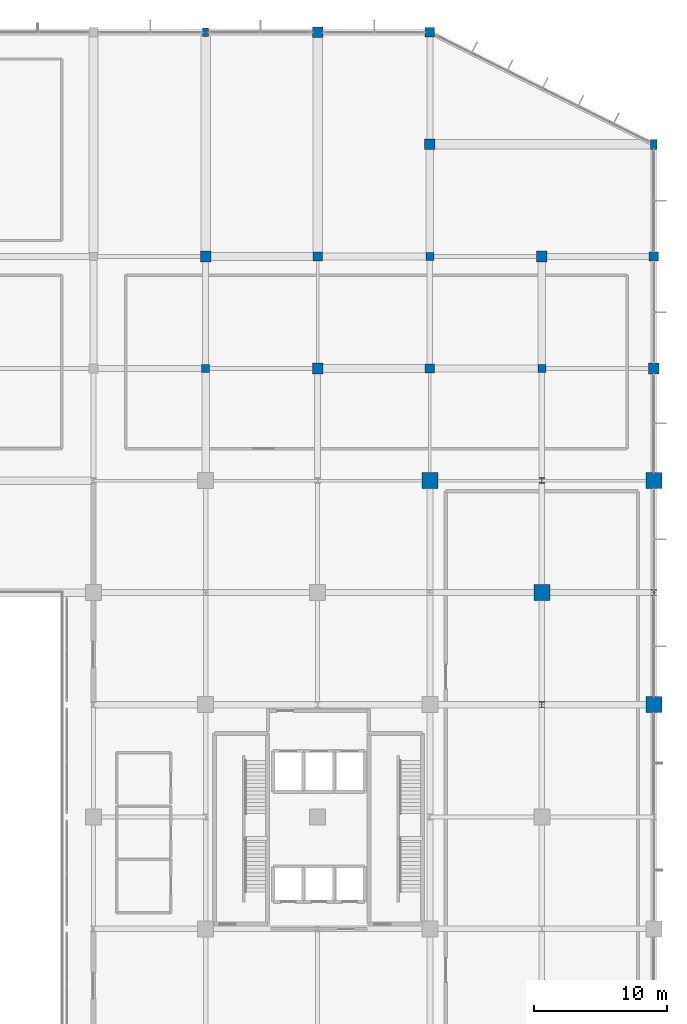
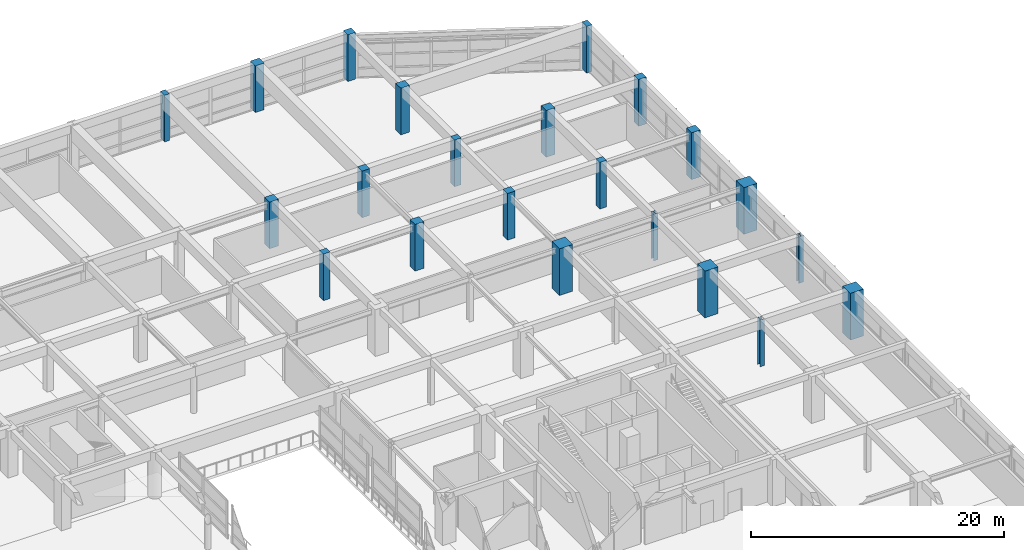
# One storey, part 7 of 65: 22 columns.
"""IFC4 building model written with IfcOpenShell, lengths in metres."""

from ifc_helpers import new_model, si_unit, direction, frame, origin, origin_2d, place, context, subcontext, project, spatial, rectangle, i_section, extrude, material, material_profile, profile_set, type_object, element, save


model = new_model("IFC4")

# Units and contexts
model_context = context("Model", 3, precision=1e-05, world=origin(), true_north=direction((0.0, 1.0)))
body_context = subcontext(model_context, "Body", "Model", "MODEL_VIEW")
ifc_project = project(units=[si_unit("LENGTHUNIT", "METRE"), si_unit("AREAUNIT", "SQUARE_METRE"), si_unit("VOLUMEUNIT", "CUBIC_METRE"), si_unit("PLANEANGLEUNIT", "RADIAN"), si_unit("MASSUNIT", "GRAM", prefix="KILO")], contexts=[model_context])

# Site, building, storey
site_placement = place(None, origin())
site = spatial("IfcSite", under=ifc_project, at=site_placement, CompositionType="ELEMENT")
building_placement = place(site_placement, origin())
building = spatial("IfcBuilding", under=site, at=building_placement, Name="Xuanlan Plaza Opera House", CompositionType="ELEMENT")
storey_placement = place(building_placement, frame((0.0, 0.0, 5.39990234375)))
storey = spatial("IfcBuildingStorey", under=building, at=storey_placement, Name="L01", CompositionType="ELEMENT", Elevation=5.39990234375)

# Columns
ifc_material_1 = material(Name="Concrete C60", Category="concrete")
ifc_material_profile_1 = material_profile(ifc_material_1, rectangle(XDim=1.199951171875, YDim=1.199951171875, at=origin_2d()), Name="RC-COL 1200x1200")
ifc_profile_set_1 = profile_set([ifc_material_profile_1], Name="Concrete C60")
column_type_1 = type_object("IfcColumnType", Name="STR-COL-C-02", PredefinedType="COLUMN", material=ifc_profile_set_1)
for number, where, z_axis, x_axis, name in (
    (1, (151.199951171875, 84.0, 0.0), (0.0, 0.0, 1.0), (1.0, 0.0, 0.0), "Column L01 19-K"),
    (2, (159.60009765625, 75.60009765625, 0.0), (0.0, 0.0, 1.0), (1.0, 0.0, 0.0), "Column L01 20-J"),
    (3, (168.0, 67.199951171875, 0.0), (0.0, 0.0, 1.0), (1.0, 0.0, 0.0), "Column L01 21-I"),
    (4, (168.0, 84.0, 0.0), (0.0, 0.0, 1.0), (1.0, 0.0, 0.0), "Column L01 21-K"),
):
    element("IfcColumn", number, at=place(storey_placement, frame(where, z_axis=z_axis, x_axis=x_axis)), inside=storey, type_object=column_type_1, Name=name, PredefinedType="COLUMN", context=body_context, shape_type="SweptSolid", body=[
        extrude(rectangle(XDim=1.199951171875, YDim=1.199951171875, at=origin_2d()), origin(), (0.0, 0.0, 1.0), 4.5),
    ])
ifc_material_2 = material(Name="Concrete C40", Category="concrete")
ifc_material_profile_2 = material_profile(ifc_material_2, rectangle(XDim=0.800048828125, YDim=0.800048828125, at=origin_2d()), Name="RC-COL 800x800")
ifc_profile_set_2 = profile_set([ifc_material_profile_2], Name="Concrete C40")
column_type_2 = type_object("IfcColumnType", Name="STR-COL-C-06", PredefinedType="COLUMN", material=ifc_profile_set_2)
for number, where, z_axis, x_axis, name in (
    (5, (134.39990234375, 100.800048828125, 0.0), (0.0, 0.0, 1.0), (1.0, 0.0, 0.0), "Column L01 17-M"),
    (6, (142.800048828125, 92.39990234375, 0.0), (0.0, 0.0, 1.0), (1.0, 0.0, 0.0), "Column L01 18-L"),
    (7, (142.800048828125, 117.60009765625, 0.0), (0.0, 0.0, 1.0), (1.0, 0.0, 0.0), "Column L01 18-O"),
    (8, (151.199951171875, 109.199951171875, 0.0), (0.0, 0.0, 1.0), (1.0, 0.0, 0.0), "Column L01 19-N"),
    (9, (159.60009765625, 100.800048828125, 0.0), (0.0, 0.0, 1.0), (1.0, 0.0, 0.0), "Column L01 20-M"),
    (10, (168.0, 92.39990234375, 0.0), (0.0, 0.0, 1.0), (1.0, 0.0, 0.0), "Column L01 21-L"),
):
    element("IfcColumn", number, at=place(storey_placement, frame(where, z_axis=z_axis, x_axis=x_axis)), inside=storey, type_object=column_type_2, Name=name, PredefinedType="COLUMN", context=body_context, shape_type="SweptSolid", body=[
        extrude(rectangle(XDim=0.800048828125, YDim=0.800048828125, at=origin_2d()), origin(), (0.0, 0.0, 1.0), 4.5),
    ])
ifc_material_profile_3 = material_profile(ifc_material_2, rectangle(XDim=0.699951171875, YDim=0.699951171875, at=origin_2d()), Name="RC-COL 700x700")
ifc_profile_set_3 = profile_set([ifc_material_profile_3], Name="Concrete C40")
column_type_3 = type_object("IfcColumnType", Name="STR-COL-C-07", PredefinedType="COLUMN", material=ifc_profile_set_3)
for number, where, z_axis, x_axis, name in (
    (11, (142.800048828125, 100.800048828125, 0.0), (0.0, 0.0, 1.0), (1.0, 0.0, 0.0), "Column L01 18-M"),
    (12, (151.199951171875, 92.39990234375, 0.0), (0.0, 0.0, 1.0), (1.0, 0.0, 0.0), "Column L01 19-L"),
    (13, (151.199951171875, 117.60009765625, 0.0), (0.0, 0.0, 1.0), (1.0, 0.0, 0.0), "Column L01 19-O"),
    (14, (168.0, 100.800048828125, 0.0), (0.0, 0.0, 1.0), (1.0, 0.0, 0.0), "Column L01 21-M"),
):
    element("IfcColumn", number, at=place(storey_placement, frame(where, z_axis=z_axis, x_axis=x_axis)), inside=storey, type_object=column_type_3, Name=name, PredefinedType="COLUMN", context=body_context, shape_type="SweptSolid", body=[
        extrude(rectangle(XDim=0.699951171875, YDim=0.699951171875, at=origin_2d()), origin(), (0.0, 0.0, 1.0), 4.5),
    ])
ifc_material_profile_4 = material_profile(ifc_material_2, rectangle(XDim=0.60009765625, YDim=0.60009765625, at=origin_2d()), Name="RC-COL 600x600")
ifc_profile_set_4 = profile_set([ifc_material_profile_4], Name="Concrete C40")
column_type_4 = type_object("IfcColumnType", Name="STR-COL-C-08", PredefinedType="COLUMN", material=ifc_profile_set_4)
for number, where, z_axis, x_axis, name in (
    (15, (134.39990234375, 92.39990234375, 0.0), (0.0, 0.0, 1.0), (1.0, 0.0, 0.0), "Column L01 17-L"),
    (16, (151.199951171875, 100.800048828125, 0.0), (0.0, 0.0, 1.0), (1.0, 0.0, 0.0), "Column L01 19-M"),
    (17, (159.60009765625, 92.39990234375, 0.0), (0.0, 0.0, 1.0), (1.0, 0.0, 0.0), "Column L01 20-L"),
):
    element("IfcColumn", number, at=place(storey_placement, frame(where, z_axis=z_axis, x_axis=x_axis)), inside=storey, type_object=column_type_4, Name=name, PredefinedType="COLUMN", context=body_context, shape_type="SweptSolid", body=[
        extrude(rectangle(XDim=0.60009765625, YDim=0.60009765625, at=origin_2d()), origin(), (0.0, 0.0, 1.0), 4.5),
    ])
ifc_material_3 = material(Name="Steel Q390B", Category="steel")
ifc_material_profile_5 = material_profile(ifc_material_3, i_section(OverallWidth=0.405029296875, OverallDepth=0.4140625, WebThickness=0.01806640625, FlangeThickness=0.028076171875, FilletRadius=0.02197265625, at=origin_2d()), Name="HW 414x405x18x28")
ifc_profile_set_5 = profile_set([ifc_material_profile_5], Name="Steel Q390B")
column_type_5 = type_object("IfcColumnType", Name="STR-COL-C-13", PredefinedType="COLUMN", material=ifc_profile_set_5)
for number, where, z_axis, x_axis, name in (
    (18, (159.60009765625, 67.199951171875, 0.0), (0.0, 0.0, 1.0), (1.0, 0.0, 0.0), "Column L01 20-I"),
    (19, (159.60009765625, 84.0, 0.0), (0.0, 0.0, 1.0), (1.0, 0.0, 0.0), "Column L01 20-K"),
    (20, (168.0, 75.60009765625, 0.0), (0.0, 0.0, 1.0), (1.0, 0.0, 0.0), "Column L01 21-J"),
):
    element("IfcColumn", number, at=place(storey_placement, frame(where, z_axis=z_axis, x_axis=x_axis)), inside=storey, type_object=column_type_5, Name=name, PredefinedType="COLUMN", context=body_context, shape_type="SweptSolid", body=[
        extrude(i_section(OverallWidth=0.405029296875, OverallDepth=0.4140625, WebThickness=0.01806640625, FlangeThickness=0.028076171875, FilletRadius=0.02197265625, at=origin_2d()), origin(), (0.0, 0.0, 1.0), 4.5),
    ])
ifc_material_profile_6 = material_profile(ifc_material_2, rectangle(XDim=0.449951171875, YDim=0.64990234375, at=origin_2d()), Name="RC-PIL 450x650")
ifc_profile_set_6 = profile_set([ifc_material_profile_6], Name="Concrete C40")
column_type_6 = type_object("IfcColumnType", Name="STR-COL-PL-01", PredefinedType="PILASTER", material=ifc_profile_set_6)
column_1_placement = place(storey_placement, frame((134.39990234375, 117.60009765625, 0.0), z_axis=(0.0, 0.0, 1.0), x_axis=(1.0, 0.0, 0.0)))
element("IfcColumn", 21, at=column_1_placement, inside=storey, type_object=column_type_6, Name="Column L01 17-O", PredefinedType="PILASTER", context=body_context, shape_type="SweptSolid", body=[
    extrude(rectangle(XDim=0.449951171875, YDim=0.64990234375, at=origin_2d()), origin(), (0.0, 0.0, 1.0), 4.5),
])
ifc_material_profile_7 = material_profile(ifc_material_2, rectangle(XDim=0.5, YDim=0.75, at=origin_2d()), Name="RC-PIL 500x750")
ifc_profile_set_7 = profile_set([ifc_material_profile_7], Name="Concrete C40")
column_type_7 = type_object("IfcColumnType", Name="STR-COL-PL-02", PredefinedType="PILASTER", material=ifc_profile_set_7)
column_2_placement = place(storey_placement, frame((168.0, 109.199951171875, 0.0), z_axis=(0.0, 0.0, 1.0), x_axis=(1.0, 0.0, 0.0)))
element("IfcColumn", 22, at=column_2_placement, inside=storey, type_object=column_type_7, Name="Column L01 21-N", PredefinedType="PILASTER", context=body_context, shape_type="SweptSolid", body=[
    extrude(rectangle(XDim=0.5, YDim=0.75, at=origin_2d()), origin(), (0.0, 0.0, 1.0), 4.5),
])

save(model, "model.ifc")
